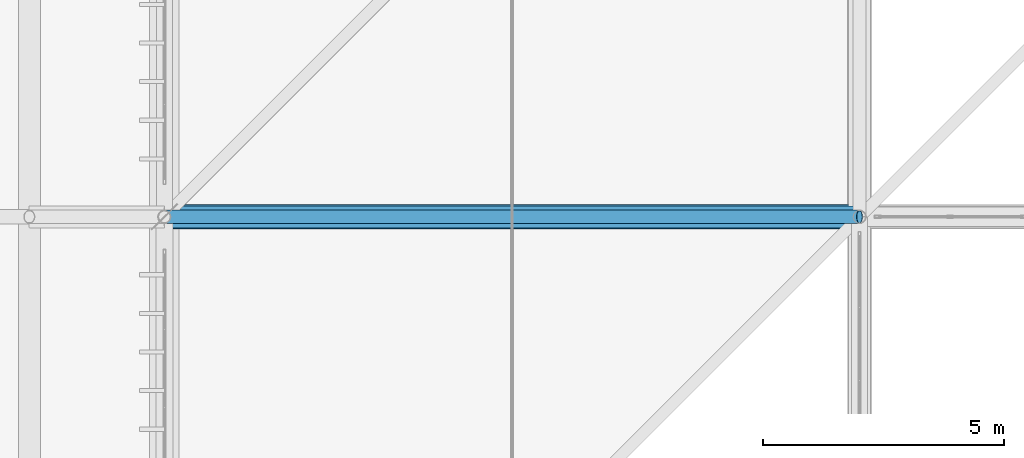
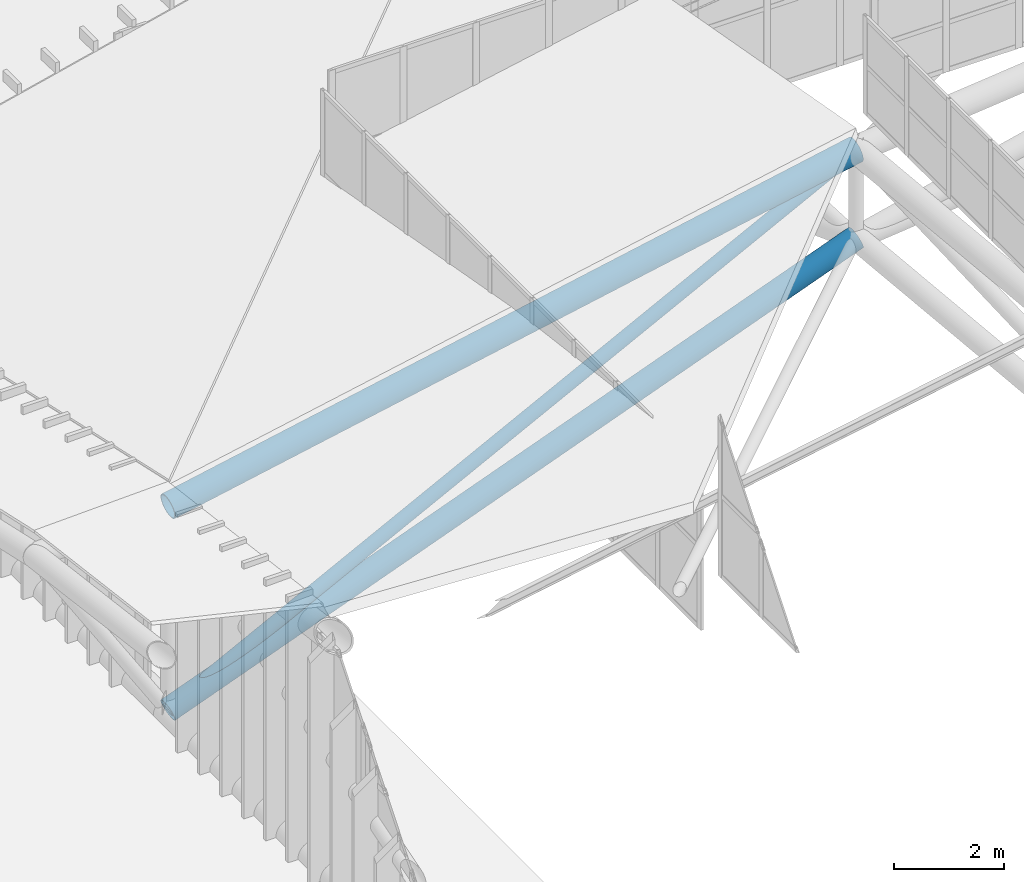
# One storey, part 217 of 397: 2 beams, 1 member.
"""IFC4 building model written with IfcOpenShell, lengths in metres."""

from ifc_helpers import new_model, si_unit, direction, frame, origin, origin_2d, place, context, subcontext, project, spatial, hollow_circle, extrude, material, material_profile, profile_set, type_object, element, save


model = new_model("IFC4")

# Units and contexts
model_context = context("Model", 3, precision=1e-05, world=origin(), true_north=direction((0.0, 1.0)))
body_context = subcontext(model_context, "Body", "Model", "MODEL_VIEW")
ifc_project = project(units=[si_unit("LENGTHUNIT", "METRE"), si_unit("AREAUNIT", "SQUARE_METRE"), si_unit("VOLUMEUNIT", "CUBIC_METRE"), si_unit("PLANEANGLEUNIT", "RADIAN"), si_unit("MASSUNIT", "GRAM", prefix="KILO")], contexts=[model_context])

# Site, building, storey
site_placement = place(None, origin())
site = spatial("IfcSite", under=ifc_project, at=site_placement, CompositionType="ELEMENT")
building_placement = place(site_placement, origin())
building = spatial("IfcBuilding", under=site, at=building_placement, Name="Qandorah Velis Arena", CompositionType="ELEMENT")
storey_placement = place(building_placement, frame((0.0, 0.0, 27.5)))
storey = spatial("IfcBuildingStorey", under=building, at=storey_placement, Name="RF", CompositionType="ELEMENT", Elevation=27.5)

# Beams
ifc_material = material(Name="Steel S355", Category="steel")
ifc_material_profile_1 = material_profile(ifc_material, hollow_circle(Radius=0.228515625, WallThickness=0.01611328125, at=origin_2d()), Name="CHS 457x16")
ifc_profile_set_1 = profile_set([ifc_material_profile_1], Name="Steel S355")
beam_type_1 = type_object("IfcBeamType", Name="STR-SFC-CHS457X16", PredefinedType="USERDEFINED", material=ifc_profile_set_1)
beam_1_placement = place(storey_placement, frame((14.39990234375, 100.800048828125, 0.10009765625), z_axis=(0.936003351498, 0.0, 0.351991087933), x_axis=(0.0, 1.0, 0.0)))
element("IfcBeam", 1, at=beam_1_placement, inside=storey, type_object=beam_type_1, Name="Space frame roof truss bottom chord X 0.6", ObjectType="ROOF TRUSS", PredefinedType="USERDEFINED", context=body_context, shape_type="SweptSolid", body=[
    extrude(hollow_circle(Radius=0.228515625, WallThickness=0.01611328125, at=origin_2d()), origin(), (0.0, 0.0, 1.0), 15.384765625),
])
ifc_material_profile_2 = material_profile(ifc_material, hollow_circle(Radius=0.25390625, WallThickness=0.02001953125, at=origin_2d()), Name="CHS 508x20")
ifc_profile_set_2 = profile_set([ifc_material_profile_2], Name="Steel S355")
beam_type_2 = type_object("IfcBeamType", Name="STR-SFC-CHS508X20", PredefinedType="USERDEFINED", material=ifc_profile_set_2)
beam_2_placement = place(storey_placement, frame((14.39990234375, 100.800048828125, 4.6083984375), z_axis=(0.980882045388, 0.0, 0.194603219489), x_axis=(0.0, 1.0, 0.0)))
element("IfcBeam", 2, at=beam_2_placement, inside=storey, type_object=beam_type_2, Name="Space frame roof truss top chord X 0.6", ObjectType="ROOF TRUSS", PredefinedType="USERDEFINED", context=body_context, shape_type="SweptSolid", body=[
    extrude(hollow_circle(Radius=0.25390625, WallThickness=0.02001953125, at=origin_2d()), origin(), (0.0, 0.0, 1.0), 14.680908203125),
])

# Member
ifc_material_profile_3 = material_profile(ifc_material, hollow_circle(Radius=0.136474609375, WallThickness=0.012451171875, at=origin_2d()), Name="CHS 273x12.5")
ifc_profile_set_3 = profile_set([ifc_material_profile_3], Name="Steel S355")
member_type = type_object("IfcMemberType", Name="STR-SFD-CHS273X12", PredefinedType="STRUT", material=ifc_profile_set_3)
member_placement = place(storey_placement, frame((14.39990234375, 100.800048828125, 0.10009765625), z_axis=(0.890305375726, 0.0, 0.455363962072), x_axis=(0.0, 1.0, 0.0)))
element("IfcMember", 3, at=member_placement, inside=storey, type_object=member_type, Name="Space frame roof diagonal X 0.6", PredefinedType="STRUT", context=body_context, shape_type="SweptSolid", body=[
    extrude(hollow_circle(Radius=0.136474609375, WallThickness=0.012451171875, at=origin_2d()), origin(), (0.0, 0.0, 1.0), 16.17431640625),
])

save(model, "model.ifc")
